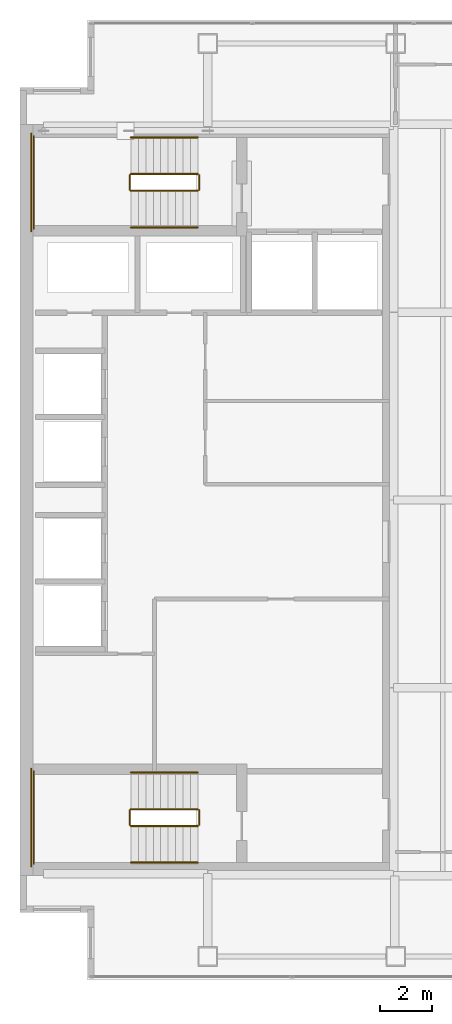
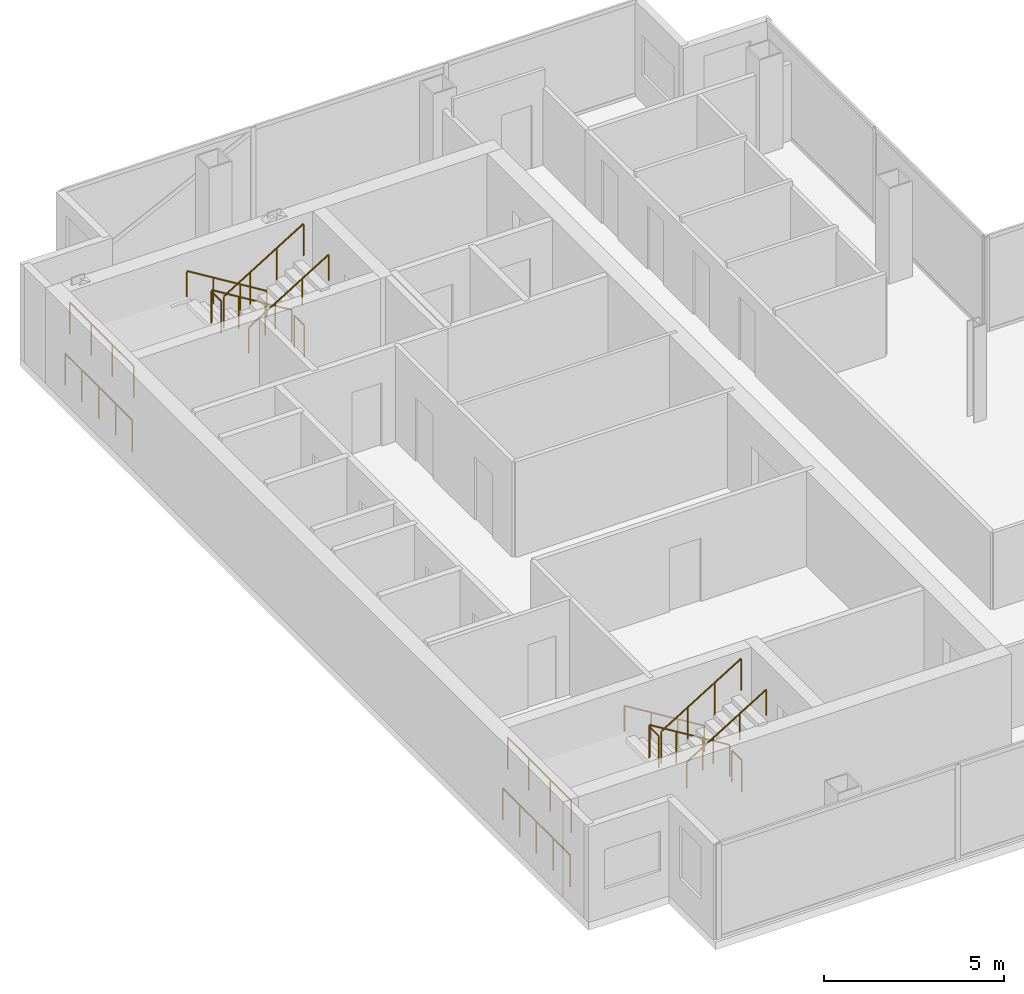
# One storey, part 23 of 23: 16 railings.
"""IFC4 building model written with IfcOpenShell, lengths in metres."""

from ifc_helpers import new_model, si_unit, direction, frame, origin, origin_2d, place, context, subcontext, project, spatial, circle, extrude, material, type_object, element, save


model = new_model("IFC4")

# Units and contexts
model_context = context("Model", 3, precision=1e-05, world=origin(), true_north=direction((0.0, 1.0)))
body_context = subcontext(model_context, "Body", "Model", "MODEL_VIEW")
ifc_project = project(units=[si_unit("LENGTHUNIT", "METRE"), si_unit("AREAUNIT", "SQUARE_METRE"), si_unit("VOLUMEUNIT", "CUBIC_METRE"), si_unit("PLANEANGLEUNIT", "RADIAN"), si_unit("MASSUNIT", "GRAM", prefix="KILO")], contexts=[model_context])

# Site, building, storey
site_placement = place(None, origin())
site = spatial("IfcSite", under=ifc_project, at=site_placement, CompositionType="ELEMENT")
building_placement = place(site_placement, origin())
building = spatial("IfcBuilding", under=site, at=building_placement, Name="Cobrela Telecom Tower", CompositionType="ELEMENT")
storey_placement = place(building_placement, frame((0.0, 0.0, 204.75)))
storey = spatial("IfcBuildingStorey", under=building, at=storey_placement, Name="L52", CompositionType="ELEMENT", Elevation=204.75)

# Railings
ifc_material = material(Name="Steel ASTM A36", Category="steel")
railing_type_1 = type_object("IfcRailingType", Name="RAIL-GUARD-1100", PredefinedType="GUARDRAIL", material=ifc_material)
railing_1_placement = place(storey_placement, frame((6.820068359375, 34.10009765625, 0.175048828125)))
element("IfcRailing", 1, at=railing_1_placement, inside=storey, type_object=railing_type_1, Name="L52 ST1 stair guard 1", PredefinedType="GUARDRAIL", context=body_context, shape_type="SweptSolid", body=[
    extrude(circle(Radius=0.02392578125, at=origin_2d()), frame((0.0, 0.0, 1.076171875), z_axis=(-0.852195335862, 0.0, 0.523223766217), x_axis=(0.0, -1.0, 0.0)), (0.0, 0.0, 1.0), 3.010009765625),
    extrude(circle(Radius=0.02099609375, at=origin_2d()), origin(), (0.0, 0.0, 1.0), 1.052001953125),
    extrude(circle(Radius=0.02099609375, at=origin_2d()), frame((-0.85498046875, 0.0, 0.52490234375)), (0.0, 0.0, 1.0), 1.052001953125),
    extrude(circle(Radius=0.02099609375, at=origin_2d()), frame((-1.710205078125, 0.0, 1.050048828125)), (0.0, 0.0, 1.0), 1.052001953125),
    extrude(circle(Radius=0.02099609375, at=origin_2d()), frame((-2.565185546875, 0.0, 1.574951171875)), (0.0, 0.0, 1.0), 1.052001953125),
])
railing_2_placement = place(storey_placement, frame((4.205078125, 34.050048828125, 1.75)))
element("IfcRailing", 2, at=railing_2_placement, inside=storey, type_object=railing_type_1, Name="L52 ST1 stair guard 2", PredefinedType="GUARDRAIL", context=body_context, shape_type="SweptSolid", body=[
    extrude(circle(Radius=0.02392578125, at=origin_2d()), frame((0.0, 0.0, 1.076171875), z_axis=(0.0, -1.0, 0.0), x_axis=(1.0, 0.0, 0.0)), (0.0, 0.0, 1.0), 0.550048828125),
    extrude(circle(Radius=0.02099609375, at=origin_2d()), origin(), (0.0, 0.0, 1.0), 1.052001953125),
    extrude(circle(Radius=0.02099609375, at=origin_2d()), frame((0.0, -0.550048828125, 0.0)), (0.0, 0.0, 1.0), 1.052001953125),
])
railing_3_placement = place(storey_placement, frame((0.530029296875, 35.550048828125, 1.75)))
element("IfcRailing", 3, at=railing_3_placement, inside=storey, type_object=railing_type_1, Name="L52 ST1 stair guard 3", PredefinedType="GUARDRAIL", context=body_context, shape_type="SweptSolid", body=[
    extrude(circle(Radius=0.02392578125, at=origin_2d()), frame((0.0, 0.0, 1.076171875), z_axis=(0.0, -1.0, 0.0), x_axis=(1.0, 0.0, 0.0)), (0.0, 0.0, 1.0), 3.550048828125),
    extrude(circle(Radius=0.02099609375, at=origin_2d()), origin(), (0.0, 0.0, 1.0), 1.052001953125),
    extrude(circle(Radius=0.02099609375, at=origin_2d()), frame((0.0, -1.183349609375, 0.0)), (0.0, 0.0, 1.0), 1.052001953125),
    extrude(circle(Radius=0.02099609375, at=origin_2d()), frame((0.0, -2.36669921875, 0.0)), (0.0, 0.0, 1.0), 1.052001953125),
    extrude(circle(Radius=0.02099609375, at=origin_2d()), frame((0.0, -3.550048828125, 0.0)), (0.0, 0.0, 1.0), 1.052001953125),
])
railing_4_placement = place(storey_placement, frame((4.2548828125, 33.449951171875, 1.925048828125)))
element("IfcRailing", 4, at=railing_4_placement, inside=storey, type_object=railing_type_1, Name="L52 ST1 stair guard 4", PredefinedType="GUARDRAIL", context=body_context, shape_type="SweptSolid", body=[
    extrude(circle(Radius=0.02392578125, at=origin_2d()), frame((0.0, 0.0, 1.076171875), z_axis=(0.852195335862, 0.0, 0.523223766217), x_axis=(0.0, 1.0, 0.0)), (0.0, 0.0, 1.0), 3.010009765625),
    extrude(circle(Radius=0.02099609375, at=origin_2d()), origin(), (0.0, 0.0, 1.0), 1.052001953125),
    extrude(circle(Radius=0.02099609375, at=origin_2d()), frame((0.85498046875, 0.0, 0.52490234375)), (0.0, 0.0, 1.0), 1.052001953125),
    extrude(circle(Radius=0.02099609375, at=origin_2d()), frame((1.710205078125, 0.0, 1.050048828125)), (0.0, 0.0, 1.0), 1.052001953125),
    extrude(circle(Radius=0.02099609375, at=origin_2d()), frame((2.565185546875, 0.0, 1.574951171875)), (0.0, 0.0, 1.0), 1.052001953125),
])
railing_5_placement = place(storey_placement, frame((6.8701171875, 34.050048828125, 0.0)))
element("IfcRailing", 5, at=railing_5_placement, inside=storey, type_object=railing_type_1, Name="L52 ST1 stair guard 5", PredefinedType="GUARDRAIL", context=body_context, shape_type="SweptSolid", body=[
    extrude(circle(Radius=0.02392578125, at=origin_2d()), frame((0.0, 0.0, 1.076171875), z_axis=(0.0, -1.0, 0.0), x_axis=(1.0, 0.0, 0.0)), (0.0, 0.0, 1.0), 0.550048828125),
    extrude(circle(Radius=0.02099609375, at=origin_2d()), origin(), (0.0, 0.0, 1.0), 1.052001953125),
    extrude(circle(Radius=0.02099609375, at=origin_2d()), frame((0.0, -0.550048828125, 0.0)), (0.0, 0.0, 1.0), 1.052001953125),
])
railing_6_placement = place(storey_placement, frame((0.429931640625, 35.64990234375, 0.0)))
element("IfcRailing", 6, at=railing_6_placement, inside=storey, type_object=railing_type_1, Name="L52 ST1 stair guard 6", PredefinedType="GUARDRAIL", context=body_context, shape_type="SweptSolid", body=[
    extrude(circle(Radius=0.02392578125, at=origin_2d()), frame((0.0, 0.0, 1.076171875), z_axis=(0.0, -1.0, 0.0), x_axis=(1.0, 0.0, 0.0)), (0.0, 0.0, 1.0), 3.75),
    extrude(circle(Radius=0.02099609375, at=origin_2d()), origin(), (0.0, 0.0, 1.0), 1.052001953125),
    extrude(circle(Radius=0.02099609375, at=origin_2d()), frame((0.0, -0.9375, 0.0)), (0.0, 0.0, 1.0), 1.052001953125),
    extrude(circle(Radius=0.02099609375, at=origin_2d()), frame((0.0, -1.875, 0.0)), (0.0, 0.0, 1.0), 1.052001953125),
    extrude(circle(Radius=0.02099609375, at=origin_2d()), frame((0.0, -2.8125, 0.0)), (0.0, 0.0, 1.0), 1.052001953125),
    extrude(circle(Radius=0.02099609375, at=origin_2d()), frame((0.0, -3.75, 0.0)), (0.0, 0.0, 1.0), 1.052001953125),
])
railing_7_placement = place(storey_placement, frame((6.820068359375, 9.75, 0.175048828125)))
element("IfcRailing", 7, at=railing_7_placement, inside=storey, type_object=railing_type_1, Name="L52 ST2 stair guard 1", PredefinedType="GUARDRAIL", context=body_context, shape_type="SweptSolid", body=[
    extrude(circle(Radius=0.02392578125, at=origin_2d()), frame((0.0, 0.0, 1.076171875), z_axis=(-0.852195335862, 0.0, 0.523223766217), x_axis=(0.0, -1.0, 0.0)), (0.0, 0.0, 1.0), 3.010009765625),
    extrude(circle(Radius=0.02099609375, at=origin_2d()), origin(), (0.0, 0.0, 1.0), 1.052001953125),
    extrude(circle(Radius=0.02099609375, at=origin_2d()), frame((-0.85498046875, 0.0, 0.52490234375)), (0.0, 0.0, 1.0), 1.052001953125),
    extrude(circle(Radius=0.02099609375, at=origin_2d()), frame((-1.710205078125, 0.0, 1.050048828125)), (0.0, 0.0, 1.0), 1.052001953125),
    extrude(circle(Radius=0.02099609375, at=origin_2d()), frame((-2.565185546875, 0.0, 1.574951171875)), (0.0, 0.0, 1.0), 1.052001953125),
])
railing_8_placement = place(storey_placement, frame((4.205078125, 9.699951171875, 1.75)))
element("IfcRailing", 8, at=railing_8_placement, inside=storey, type_object=railing_type_1, Name="L52 ST2 stair guard 2", PredefinedType="GUARDRAIL", context=body_context, shape_type="SweptSolid", body=[
    extrude(circle(Radius=0.02392578125, at=origin_2d()), frame((0.0, 0.0, 1.076171875), z_axis=(0.0, -1.0, 0.0), x_axis=(1.0, 0.0, 0.0)), (0.0, 0.0, 1.0), 0.550048828125),
    extrude(circle(Radius=0.02099609375, at=origin_2d()), origin(), (0.0, 0.0, 1.0), 1.052001953125),
    extrude(circle(Radius=0.02099609375, at=origin_2d()), frame((0.0, -0.550048828125, 0.0)), (0.0, 0.0, 1.0), 1.052001953125),
])
railing_9_placement = place(storey_placement, frame((0.530029296875, 11.199951171875, 1.75)))
element("IfcRailing", 9, at=railing_9_placement, inside=storey, type_object=railing_type_1, Name="L52 ST2 stair guard 3", PredefinedType="GUARDRAIL", context=body_context, shape_type="SweptSolid", body=[
    extrude(circle(Radius=0.02392578125, at=origin_2d()), frame((0.0, 0.0, 1.076171875), z_axis=(0.0, -1.0, 0.0), x_axis=(1.0, 0.0, 0.0)), (0.0, 0.0, 1.0), 3.550048828125),
    extrude(circle(Radius=0.02099609375, at=origin_2d()), origin(), (0.0, 0.0, 1.0), 1.052001953125),
    extrude(circle(Radius=0.02099609375, at=origin_2d()), frame((0.0, -1.183349609375, 0.0)), (0.0, 0.0, 1.0), 1.052001953125),
    extrude(circle(Radius=0.02099609375, at=origin_2d()), frame((0.0, -2.36669921875, 0.0)), (0.0, 0.0, 1.0), 1.052001953125),
    extrude(circle(Radius=0.02099609375, at=origin_2d()), frame((0.0, -3.550048828125, 0.0)), (0.0, 0.0, 1.0), 1.052001953125),
])
railing_10_placement = place(storey_placement, frame((4.2548828125, 9.10009765625, 1.925048828125)))
element("IfcRailing", 10, at=railing_10_placement, inside=storey, type_object=railing_type_1, Name="L52 ST2 stair guard 4", PredefinedType="GUARDRAIL", context=body_context, shape_type="SweptSolid", body=[
    extrude(circle(Radius=0.02392578125, at=origin_2d()), frame((0.0, 0.0, 1.076171875), z_axis=(0.852195335862, 0.0, 0.523223766217), x_axis=(0.0, 1.0, 0.0)), (0.0, 0.0, 1.0), 3.010009765625),
    extrude(circle(Radius=0.02099609375, at=origin_2d()), origin(), (0.0, 0.0, 1.0), 1.052001953125),
    extrude(circle(Radius=0.02099609375, at=origin_2d()), frame((0.85498046875, 0.0, 0.52490234375)), (0.0, 0.0, 1.0), 1.052001953125),
    extrude(circle(Radius=0.02099609375, at=origin_2d()), frame((1.710205078125, 0.0, 1.050048828125)), (0.0, 0.0, 1.0), 1.052001953125),
    extrude(circle(Radius=0.02099609375, at=origin_2d()), frame((2.565185546875, 0.0, 1.574951171875)), (0.0, 0.0, 1.0), 1.052001953125),
])
railing_11_placement = place(storey_placement, frame((6.8701171875, 9.699951171875, 0.0)))
element("IfcRailing", 11, at=railing_11_placement, inside=storey, type_object=railing_type_1, Name="L52 ST2 stair guard 5", PredefinedType="GUARDRAIL", context=body_context, shape_type="SweptSolid", body=[
    extrude(circle(Radius=0.02392578125, at=origin_2d()), frame((0.0, 0.0, 1.076171875), z_axis=(0.0, -1.0, 0.0), x_axis=(1.0, 0.0, 0.0)), (0.0, 0.0, 1.0), 0.550048828125),
    extrude(circle(Radius=0.02099609375, at=origin_2d()), origin(), (0.0, 0.0, 1.0), 1.052001953125),
    extrude(circle(Radius=0.02099609375, at=origin_2d()), frame((0.0, -0.550048828125, 0.0)), (0.0, 0.0, 1.0), 1.052001953125),
])
railing_12_placement = place(storey_placement, frame((0.429931640625, 11.300048828125, 0.0)))
element("IfcRailing", 12, at=railing_12_placement, inside=storey, type_object=railing_type_1, Name="L52 ST2 stair guard 6", PredefinedType="GUARDRAIL", context=body_context, shape_type="SweptSolid", body=[
    extrude(circle(Radius=0.02392578125, at=origin_2d()), frame((0.0, 0.0, 1.076171875), z_axis=(0.0, -1.0, 0.0), x_axis=(1.0, 0.0, 0.0)), (0.0, 0.0, 1.0), 3.75),
    extrude(circle(Radius=0.02099609375, at=origin_2d()), origin(), (0.0, 0.0, 1.0), 1.052001953125),
    extrude(circle(Radius=0.02099609375, at=origin_2d()), frame((0.0, -0.9375, 0.0)), (0.0, 0.0, 1.0), 1.052001953125),
    extrude(circle(Radius=0.02099609375, at=origin_2d()), frame((0.0, -1.875, 0.0)), (0.0, 0.0, 1.0), 1.052001953125),
    extrude(circle(Radius=0.02099609375, at=origin_2d()), frame((0.0, -2.8125, 0.0)), (0.0, 0.0, 1.0), 1.052001953125),
    extrude(circle(Radius=0.02099609375, at=origin_2d()), frame((0.0, -3.75, 0.0)), (0.0, 0.0, 1.0), 1.052001953125),
])
railing_type_2 = type_object("IfcRailingType", Name="RAIL-HAND-920", PredefinedType="HANDRAIL", material=ifc_material)
railing_13_placement = place(storey_placement, frame((6.820068359375, 35.5, 0.175048828125)))
element("IfcRailing", 13, at=railing_13_placement, inside=storey, type_object=railing_type_2, Name="L52 ST1 stair handrail 1", PredefinedType="HANDRAIL", context=body_context, shape_type="SweptSolid", body=[
    extrude(circle(Radius=0.02392578125, at=origin_2d()), frame((0.0, 0.0, 0.8759765625), z_axis=(-0.852195335862, 0.0, 0.523223766217), x_axis=(0.0, -1.0, 0.0)), (0.0, 0.0, 1.0), 3.010009765625),
    extrude(circle(Radius=0.02099609375, at=origin_2d()), origin(), (0.0, 0.0, 1.0), 0.851806640625),
    extrude(circle(Radius=0.02099609375, at=origin_2d()), frame((-0.85498046875, 0.0, 0.52490234375)), (0.0, 0.0, 1.0), 0.851806640625),
    extrude(circle(Radius=0.02099609375, at=origin_2d()), frame((-1.710205078125, 0.0, 1.050048828125)), (0.0, 0.0, 1.0), 0.851806640625),
    extrude(circle(Radius=0.02099609375, at=origin_2d()), frame((-2.565185546875, 0.0, 1.574951171875)), (0.0, 0.0, 1.0), 0.851806640625),
])
railing_14_placement = place(storey_placement, frame((4.2548828125, 32.050048828125, 1.925048828125)))
element("IfcRailing", 14, at=railing_14_placement, inside=storey, type_object=railing_type_2, Name="L52 ST1 stair handrail 2", PredefinedType="HANDRAIL", context=body_context, shape_type="SweptSolid", body=[
    extrude(circle(Radius=0.02392578125, at=origin_2d()), frame((0.0, 0.0, 0.8759765625), z_axis=(0.852195335862, 0.0, 0.523223766217), x_axis=(0.0, 1.0, 0.0)), (0.0, 0.0, 1.0), 3.010009765625),
    extrude(circle(Radius=0.02099609375, at=origin_2d()), origin(), (0.0, 0.0, 1.0), 0.851806640625),
    extrude(circle(Radius=0.02099609375, at=origin_2d()), frame((0.85498046875, 0.0, 0.52490234375)), (0.0, 0.0, 1.0), 0.851806640625),
    extrude(circle(Radius=0.02099609375, at=origin_2d()), frame((1.710205078125, 0.0, 1.050048828125)), (0.0, 0.0, 1.0), 0.851806640625),
    extrude(circle(Radius=0.02099609375, at=origin_2d()), frame((2.565185546875, 0.0, 1.574951171875)), (0.0, 0.0, 1.0), 0.851806640625),
])
railing_15_placement = place(storey_placement, frame((6.820068359375, 11.14990234375, 0.175048828125)))
element("IfcRailing", 15, at=railing_15_placement, inside=storey, type_object=railing_type_2, Name="L52 ST2 stair handrail 1", PredefinedType="HANDRAIL", context=body_context, shape_type="SweptSolid", body=[
    extrude(circle(Radius=0.02392578125, at=origin_2d()), frame((0.0, 0.0, 0.8759765625), z_axis=(-0.852195335862, 0.0, 0.523223766217), x_axis=(0.0, -1.0, 0.0)), (0.0, 0.0, 1.0), 3.010009765625),
    extrude(circle(Radius=0.02099609375, at=origin_2d()), origin(), (0.0, 0.0, 1.0), 0.851806640625),
    extrude(circle(Radius=0.02099609375, at=origin_2d()), frame((-0.85498046875, 0.0, 0.52490234375)), (0.0, 0.0, 1.0), 0.851806640625),
    extrude(circle(Radius=0.02099609375, at=origin_2d()), frame((-1.710205078125, 0.0, 1.050048828125)), (0.0, 0.0, 1.0), 0.851806640625),
    extrude(circle(Radius=0.02099609375, at=origin_2d()), frame((-2.565185546875, 0.0, 1.574951171875)), (0.0, 0.0, 1.0), 0.851806640625),
])
railing_16_placement = place(storey_placement, frame((4.2548828125, 7.699951171875, 1.925048828125)))
element("IfcRailing", 16, at=railing_16_placement, inside=storey, type_object=railing_type_2, Name="L52 ST2 stair handrail 2", PredefinedType="HANDRAIL", context=body_context, shape_type="SweptSolid", body=[
    extrude(circle(Radius=0.02392578125, at=origin_2d()), frame((0.0, 0.0, 0.8759765625), z_axis=(0.852195335862, 0.0, 0.523223766217), x_axis=(0.0, 1.0, 0.0)), (0.0, 0.0, 1.0), 3.010009765625),
    extrude(circle(Radius=0.02099609375, at=origin_2d()), origin(), (0.0, 0.0, 1.0), 0.851806640625),
    extrude(circle(Radius=0.02099609375, at=origin_2d()), frame((0.85498046875, 0.0, 0.52490234375)), (0.0, 0.0, 1.0), 0.851806640625),
    extrude(circle(Radius=0.02099609375, at=origin_2d()), frame((1.710205078125, 0.0, 1.050048828125)), (0.0, 0.0, 1.0), 0.851806640625),
    extrude(circle(Radius=0.02099609375, at=origin_2d()), frame((2.565185546875, 0.0, 1.574951171875)), (0.0, 0.0, 1.0), 0.851806640625),
])

save(model, "model.ifc")
